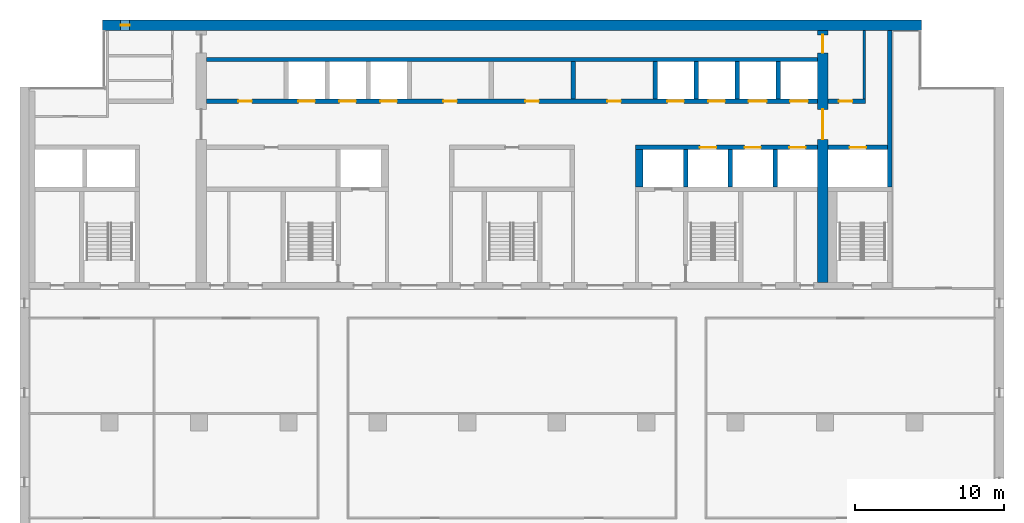
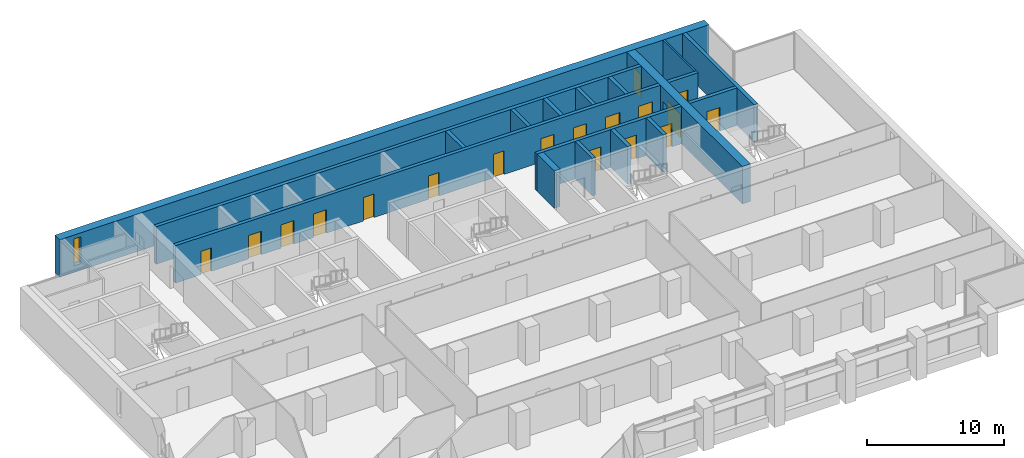
# One storey, part 11 of 16: 18 doors, 18 walls, 1 window, 19 openings.
"""IFC4 building model written with IfcOpenShell, lengths in metres."""

from ifc_helpers import new_model, si_unit, direction, frame, frame_2d, origin, place, context, subcontext, project, spatial, rectangle, extrude, material, layer, layer_set, type_object, element, fill, save


model = new_model("IFC4")

# Units and contexts
model_context = context("Model", 3, precision=1e-05, world=origin(), true_north=direction((0.0, 1.0)))
body_context = subcontext(model_context, "Body", "Model", "MODEL_VIEW")
ifc_project = project(units=[si_unit("LENGTHUNIT", "METRE"), si_unit("AREAUNIT", "SQUARE_METRE"), si_unit("VOLUMEUNIT", "CUBIC_METRE"), si_unit("PLANEANGLEUNIT", "RADIAN"), si_unit("MASSUNIT", "GRAM", prefix="KILO")], contexts=[model_context])

# Site, building, storey
site_placement = place(None, origin())
site = spatial("IfcSite", under=ifc_project, at=site_placement, CompositionType="ELEMENT")
building_placement = place(site_placement, origin())
building = spatial("IfcBuilding", under=site, at=building_placement, Name="Calvaro Tower", CompositionType="ELEMENT")
storey_placement = place(building_placement, frame((0.0, 0.0, 178.0)))
storey = spatial("IfcBuildingStorey", under=building, at=storey_placement, Name="L44", CompositionType="ELEMENT", Elevation=178.0)

# Walls
ifc_material_1 = material(Name="Blockwork partition", Category="masonry")
ifc_layer_1 = layer(ifc_material_1, 0.14990234375)
ifc_layer_set_1 = layer_set([ifc_layer_1], Name="Blockwork partition")
wall_type_1 = type_object("IfcWallType", Name="Core partition 150 REI 120", PredefinedType="PARTITIONING", material=ifc_layer_set_1)
wall_1_placement = place(storey_placement, frame((62.625, 40.699951171875, 0.0), z_axis=(0.0, 0.0, 1.0), x_axis=(0.0, 1.0, 0.0)))
element("IfcWall", 1, at=wall_1_placement, inside=storey, type_object=wall_type_1, Name="Core partition", PredefinedType="PARTITIONING", context=body_context, shape_type="SweptSolid", body=[
    extrude(rectangle(XDim=4.60009765625, YDim=0.14990234375, at=frame_2d((2.300048828125, 0.0))), origin(), (0.0, 0.0, 1.0), 3.35009765625),
])
ifc_material_2 = material(Name="Blockwork partition", Category="masonry")
ifc_layer_2 = layer(ifc_material_2, 0.300048828125)
ifc_layer_set_2 = layer_set([ifc_layer_2], Name="Blockwork partition")
wall_type_2 = type_object("IfcWallType", Name="Core partition 300 EI 60", PredefinedType="PARTITIONING", material=ifc_layer_set_2)
wall_2_placement = place(storey_placement, frame((43.10009765625, 40.699951171875, 0.0), z_axis=(0.0, 0.0, 1.0), x_axis=(0.0, 1.0, 0.0)))
element("IfcWall", 2, at=wall_2_placement, inside=storey, type_object=wall_type_2, Name="Core partition", PredefinedType="PARTITIONING", context=body_context, shape_type="SweptSolid", body=[
    extrude(rectangle(XDim=2.5, YDim=0.300048828125, at=frame_2d((1.25, 0.0))), origin(), (0.0, 0.0, 1.0), 3.35009765625),
])

# Wall, opening, door
ifc_material_3 = material(Name="Blockwork partition", Category="masonry")
ifc_layer_3 = layer(ifc_material_3, 0.300048828125)
ifc_layer_set_3 = layer_set([ifc_layer_3], Name="Blockwork partition")
wall_type_3 = type_object("IfcWallType", Name="Core partition 300 REI 120", PredefinedType="PARTITIONING", material=ifc_layer_set_3)
wall_3_placement = place(storey_placement, frame((60.199951171875, 40.550048828125, 0.0), z_axis=(0.0, 0.0, 1.0), x_axis=(1.0, 0.0, 0.0)))
wall_3 = element("IfcWall", 3, at=wall_3_placement, inside=storey, type_object=wall_type_3, Name="Core partition", PredefinedType="PARTITIONING", context=body_context, shape_type="SweptSolid", body=[
    extrude(rectangle(XDim=2.5, YDim=0.300048828125, at=frame_2d((1.25, 0.0))), origin(), (0.0, 0.0, 1.0), 3.35009765625),
])
opening_1_placement = place(wall_3_placement, frame((0.72509765625, 0.0, 0.0)))
opening_1 = element("IfcOpeningElement", 4, at=opening_1_placement, cuts=wall_3, Name="Opening RD9E", PredefinedType="OPENING", context=body_context, shape_type="SweptSolid", body=[
    extrude(rectangle(XDim=0.89990234375, YDim=2.10009765625, at=frame_2d((0.449951171875, 1.050048828125))), frame((0.0, 0.159912109375, 0.0), z_axis=(0.0, -1.0, 0.0), x_axis=(1.0, 0.0, 0.0)), (0.0, 0.0, 1.0), 0.320068359375),
])
ifc_material_4 = material(Name="Steel door set", Category="steel")
door_type_1 = type_object("IfcDoorType", Name="Room door 900 FD60", OperationType="SINGLE_SWING_LEFT", PredefinedType="DOOR", material=ifc_material_4)
door_1_placement = place(opening_1_placement, origin())
door_1 = element("IfcDoor", 5, at=door_1_placement, inside=storey, type_object=door_type_1, Name="Room door", OperationType="SINGLE_SWING_LEFT", OverallHeight=2.10009765625, OverallWidth=0.89990234375, PredefinedType="DOOR", context=body_context, shape_type="SweptSolid", body=[
    extrude(rectangle(XDim=0.89990234375, YDim=2.10009765625, at=frame_2d((0.449951171875, 1.050048828125))), frame((0.0, 0.02490234375, 0.0), z_axis=(0.0, -1.0, 0.0), x_axis=(1.0, 0.0, 0.0)), (0.0, 0.0, 1.0), 0.050048828125),
])
fill(opening_1, door_1)

# Wall
ifc_material_5 = material(Name="Concrete C50/60", Category="concrete")
ifc_layer_4 = layer(ifc_material_5, 0.300048828125)
ifc_layer_set_4 = layer_set([ifc_layer_4], Name="Concrete C50/60")
wall_type_4 = type_object("IfcWallType", Name="Core wall C50/60 300", PredefinedType="SHEAR", material=ifc_layer_set_4)
wall_4_placement = place(storey_placement, frame((64.35009765625, 34.800048828125, 0.0), z_axis=(0.0, 0.0, 1.0), x_axis=(0.0, 1.0, 0.0)))
element("IfcWall", 6, at=wall_4_placement, inside=storey, type_object=wall_type_4, Name="Core wall, boundary", PredefinedType="SHEAR", context=body_context, shape_type="SweptSolid", body=[
    extrude(rectangle(XDim=10.5, YDim=0.300048828125, at=frame_2d((5.25, 0.0))), origin(), (0.0, 0.0, 1.0), 3.35009765625),
])

# Wall, openings, doors
wall_5_placement = place(storey_placement, frame((47.300048828125, 37.449951171875, 0.0), z_axis=(0.0, 0.0, 1.0), x_axis=(1.0, 0.0, 0.0)))
wall_5 = element("IfcWall", 7, at=wall_5_placement, inside=storey, type_object=wall_type_4, Name="Core wall, lift shaft", PredefinedType="SHEAR", context=body_context, shape_type="SweptSolid", body=[
    extrude(rectangle(XDim=12.199951171875, YDim=0.300048828125, at=frame_2d((6.10009765625, 0.0))), origin(), (0.0, 0.0, 1.0), 3.35009765625),
])
opening_2_placement = place(wall_5_placement, frame((4.300048828125, 0.0, 0.0)))
opening_2 = element("IfcOpeningElement", 8, at=opening_2_placement, cuts=wall_5, Name="Opening HR1", PredefinedType="OPENING", context=body_context, shape_type="SweptSolid", body=[
    extrude(rectangle(XDim=1.10009765625, YDim=2.10009765625, at=frame_2d((0.550048828125, 1.050048828125))), frame((0.0, 0.159912109375, 0.0), z_axis=(0.0, -1.0, 0.0), x_axis=(1.0, 0.0, 0.0)), (0.0, 0.0, 1.0), 0.320068359375),
])
opening_3_placement = place(wall_5_placement, frame((7.300048828125, 0.0, 0.0)))
opening_3 = element("IfcOpeningElement", 9, at=opening_3_placement, cuts=wall_5, Name="Opening HR2", PredefinedType="OPENING", context=body_context, shape_type="SweptSolid", body=[
    extrude(rectangle(XDim=1.10009765625, YDim=2.10009765625, at=frame_2d((0.550048828125, 1.050048828125))), frame((0.0, 0.159912109375, 0.0), z_axis=(0.0, -1.0, 0.0), x_axis=(1.0, 0.0, 0.0)), (0.0, 0.0, 1.0), 0.320068359375),
])
opening_4_placement = place(wall_5_placement, frame((10.300048828125, 0.0, 0.0)))
opening_4 = element("IfcOpeningElement", 10, at=opening_4_placement, cuts=wall_5, Name="Opening HR3", PredefinedType="OPENING", context=body_context, shape_type="SweptSolid", body=[
    extrude(rectangle(XDim=1.10009765625, YDim=2.10009765625, at=frame_2d((0.550048828125, 1.050048828125))), frame((0.0, 0.159912109375, 0.0), z_axis=(0.0, -1.0, 0.0), x_axis=(1.0, 0.0, 0.0)), (0.0, 0.0, 1.0), 0.320068359375),
])
ifc_material_6 = material(Name="Stainless steel", Category="steel")
door_type_2 = type_object("IfcDoorType", Name="Landing door 1100 E 60", OperationType="SLIDING_TO_LEFT", PredefinedType="DOOR", material=ifc_material_6)
door_2_placement = place(opening_2_placement, origin())
door_2 = element("IfcDoor", 11, at=door_2_placement, inside=storey, type_object=door_type_2, Name="Landing door HR1", OperationType="SLIDING_TO_LEFT", OverallHeight=2.10009765625, OverallWidth=1.10009765625, PredefinedType="DOOR", context=body_context, shape_type="SweptSolid", body=[
    extrude(rectangle(XDim=1.10009765625, YDim=2.10009765625, at=frame_2d((0.550048828125, 1.050048828125))), frame((0.0, 0.02490234375, 0.0), z_axis=(0.0, -1.0, 0.0), x_axis=(1.0, 0.0, 0.0)), (0.0, 0.0, 1.0), 0.050048828125),
])
fill(opening_2, door_2)
door_3_placement = place(opening_3_placement, origin())
door_3 = element("IfcDoor", 12, at=door_3_placement, inside=storey, type_object=door_type_2, Name="Landing door HR2", OperationType="SLIDING_TO_LEFT", OverallHeight=2.10009765625, OverallWidth=1.10009765625, PredefinedType="DOOR", context=body_context, shape_type="SweptSolid", body=[
    extrude(rectangle(XDim=1.10009765625, YDim=2.10009765625, at=frame_2d((0.550048828125, 1.050048828125))), frame((0.0, 0.02490234375, 0.0), z_axis=(0.0, -1.0, 0.0), x_axis=(1.0, 0.0, 0.0)), (0.0, 0.0, 1.0), 0.050048828125),
])
fill(opening_3, door_3)
door_4_placement = place(opening_4_placement, origin())
door_4 = element("IfcDoor", 13, at=door_4_placement, inside=storey, type_object=door_type_2, Name="Landing door HR3", OperationType="SLIDING_TO_LEFT", OverallHeight=2.10009765625, OverallWidth=1.10009765625, PredefinedType="DOOR", context=body_context, shape_type="SweptSolid", body=[
    extrude(rectangle(XDim=1.10009765625, YDim=2.10009765625, at=frame_2d((0.550048828125, 1.050048828125))), frame((0.0, 0.02490234375, 0.0), z_axis=(0.0, -1.0, 0.0), x_axis=(1.0, 0.0, 0.0)), (0.0, 0.0, 1.0), 0.050048828125),
])
fill(opening_4, door_4)

# Wall, opening, door
wall_6_placement = place(storey_placement, frame((60.199951171875, 37.449951171875, 0.0), z_axis=(0.0, 0.0, 1.0), x_axis=(1.0, 0.0, 0.0)))
wall_6 = element("IfcWall", 14, at=wall_6_placement, inside=storey, type_object=wall_type_4, Name="Core wall, lift shaft", PredefinedType="SHEAR", context=body_context, shape_type="SweptSolid", body=[
    extrude(rectangle(XDim=4.0, YDim=0.300048828125, at=frame_2d((2.0, 0.0))), origin(), (0.0, 0.0, 1.0), 3.35009765625),
])
opening_5_placement = place(wall_6_placement, frame((1.449951171875, 0.0, 0.0)))
opening_5 = element("IfcOpeningElement", 15, at=opening_5_placement, cuts=wall_6, Name="Opening FF3", PredefinedType="OPENING", context=body_context, shape_type="SweptSolid", body=[
    extrude(rectangle(XDim=1.10009765625, YDim=2.10009765625, at=frame_2d((0.550048828125, 1.050048828125))), frame((0.0, 0.159912109375, 0.0), z_axis=(0.0, -1.0, 0.0), x_axis=(1.0, 0.0, 0.0)), (0.0, 0.0, 1.0), 0.320068359375),
])
door_5_placement = place(opening_5_placement, origin())
door_5 = element("IfcDoor", 16, at=door_5_placement, inside=storey, type_object=door_type_2, Name="Landing door FF3", OperationType="SLIDING_TO_LEFT", OverallHeight=2.10009765625, OverallWidth=1.10009765625, PredefinedType="DOOR", context=body_context, shape_type="SweptSolid", body=[
    extrude(rectangle(XDim=1.10009765625, YDim=2.10009765625, at=frame_2d((0.550048828125, 1.050048828125))), frame((0.0, 0.02490234375, 0.0), z_axis=(0.0, -1.0, 0.0), x_axis=(1.0, 0.0, 0.0)), (0.0, 0.0, 1.0), 0.050048828125),
])
fill(opening_5, door_5)

# Wall
wall_7_placement = place(storey_placement, frame((50.64990234375, 34.800048828125, 0.0), z_axis=(0.0, 0.0, 1.0), x_axis=(0.0, 1.0, 0.0)))
element("IfcWall", 17, at=wall_7_placement, inside=storey, type_object=wall_type_4, Name="Core wall, lift shaft", PredefinedType="SHEAR", context=body_context, shape_type="SweptSolid", body=[
    extrude(rectangle(XDim=2.5, YDim=0.300048828125, at=frame_2d((1.25, 0.0))), origin(), (0.0, 0.0, 1.0), 3.35009765625),
])

# Wall, openings, doors
wall_8_placement = place(storey_placement, frame((18.5, 40.550048828125, 0.0), z_axis=(0.0, 0.0, 1.0), x_axis=(1.0, 0.0, 0.0)))
wall_8 = element("IfcWall", 18, at=wall_8_placement, inside=storey, type_object=wall_type_4, Name="Core wall, bay", PredefinedType="SHEAR", context=body_context, shape_type="SweptSolid", body=[
    extrude(rectangle(XDim=41.0, YDim=0.300048828125, at=frame_2d((20.5, 0.0))), origin(), (0.0, 0.0, 1.0), 3.35009765625),
])
opening_6_placement = place(wall_8_placement, frame((2.14990234375, 0.0, 0.0)))
opening_6 = element("IfcOpeningElement", 19, at=opening_6_placement, cuts=wall_8, Name="Opening RD9E", PredefinedType="OPENING", context=body_context, shape_type="SweptSolid", body=[
    extrude(rectangle(XDim=0.89990234375, YDim=2.10009765625, at=frame_2d((0.449951171875, 1.050048828125))), frame((0.0, 0.159912109375, 0.0), z_axis=(0.0, -1.0, 0.0), x_axis=(1.0, 0.0, 0.0)), (0.0, 0.0, 1.0), 0.320068359375),
])
opening_7_placement = place(wall_8_placement, frame((15.89990234375, 0.0, 0.0)))
opening_7 = element("IfcOpeningElement", 20, at=opening_7_placement, cuts=wall_8, Name="Opening RD9E", PredefinedType="OPENING", context=body_context, shape_type="SweptSolid", body=[
    extrude(rectangle(XDim=0.89990234375, YDim=2.10009765625, at=frame_2d((0.449951171875, 1.050048828125))), frame((0.0, 0.159912109375, 0.0), z_axis=(0.0, -1.0, 0.0), x_axis=(1.0, 0.0, 0.0)), (0.0, 0.0, 1.0), 0.320068359375),
])
opening_8_placement = place(wall_8_placement, frame((21.39990234375, 0.0, 0.0)))
opening_8 = element("IfcOpeningElement", 21, at=opening_8_placement, cuts=wall_8, Name="Opening RD9E", PredefinedType="OPENING", context=body_context, shape_type="SweptSolid", body=[
    extrude(rectangle(XDim=0.89990234375, YDim=2.10009765625, at=frame_2d((0.449951171875, 1.050048828125))), frame((0.0, 0.159912109375, 0.0), z_axis=(0.0, -1.0, 0.0), x_axis=(1.0, 0.0, 0.0)), (0.0, 0.0, 1.0), 0.320068359375),
])
opening_9_placement = place(wall_8_placement, frame((26.89990234375, 0.0, 0.0)))
opening_9 = element("IfcOpeningElement", 22, at=opening_9_placement, cuts=wall_8, Name="Opening RD9C", PredefinedType="OPENING", context=body_context, shape_type="SweptSolid", body=[
    extrude(rectangle(XDim=0.89990234375, YDim=2.10009765625, at=frame_2d((0.449951171875, 1.050048828125))), frame((0.0, 0.159912109375, 0.0), z_axis=(0.0, -1.0, 0.0), x_axis=(1.0, 0.0, 0.0)), (0.0, 0.0, 1.0), 0.320068359375),
])
opening_10_placement = place(wall_8_placement, frame((6.175048828125, 0.0, 0.0)))
opening_10 = element("IfcOpeningElement", 23, at=opening_10_placement, cuts=wall_8, Name="Opening HR4", PredefinedType="OPENING", context=body_context, shape_type="SweptSolid", body=[
    extrude(rectangle(XDim=1.10009765625, YDim=2.10009765625, at=frame_2d((0.550048828125, 1.050048828125))), frame((0.0, 0.159912109375, 0.0), z_axis=(0.0, -1.0, 0.0), x_axis=(1.0, 0.0, 0.0)), (0.0, 0.0, 1.0), 0.320068359375),
])
opening_11_placement = place(wall_8_placement, frame((8.925048828125, 0.0, 0.0)))
opening_11 = element("IfcOpeningElement", 24, at=opening_11_placement, cuts=wall_8, Name="Opening HR5", PredefinedType="OPENING", context=body_context, shape_type="SweptSolid", body=[
    extrude(rectangle(XDim=1.10009765625, YDim=2.10009765625, at=frame_2d((0.550048828125, 1.050048828125))), frame((0.0, 0.159912109375, 0.0), z_axis=(0.0, -1.0, 0.0), x_axis=(1.0, 0.0, 0.0)), (0.0, 0.0, 1.0), 0.320068359375),
])
opening_12_placement = place(wall_8_placement, frame((11.675048828125, 0.0, 0.0)))
opening_12 = element("IfcOpeningElement", 25, at=opening_12_placement, cuts=wall_8, Name="Opening HR6", PredefinedType="OPENING", context=body_context, shape_type="SweptSolid", body=[
    extrude(rectangle(XDim=1.10009765625, YDim=2.10009765625, at=frame_2d((0.550048828125, 1.050048828125))), frame((0.0, 0.159912109375, 0.0), z_axis=(0.0, -1.0, 0.0), x_axis=(1.0, 0.0, 0.0)), (0.0, 0.0, 1.0), 0.320068359375),
])
opening_13_placement = place(wall_8_placement, frame((30.925048828125, 0.0, 0.0)))
opening_13 = element("IfcOpeningElement", 26, at=opening_13_placement, cuts=wall_8, Name="Opening HR7", PredefinedType="OPENING", context=body_context, shape_type="SweptSolid", body=[
    extrude(rectangle(XDim=1.10009765625, YDim=2.10009765625, at=frame_2d((0.550048828125, 1.050048828125))), frame((0.0, 0.159912109375, 0.0), z_axis=(0.0, -1.0, 0.0), x_axis=(1.0, 0.0, 0.0)), (0.0, 0.0, 1.0), 0.320068359375),
])
opening_14_placement = place(wall_8_placement, frame((33.675048828125, 0.0, 0.0)))
opening_14 = element("IfcOpeningElement", 27, at=opening_14_placement, cuts=wall_8, Name="Opening HR8", PredefinedType="OPENING", context=body_context, shape_type="SweptSolid", body=[
    extrude(rectangle(XDim=1.10009765625, YDim=2.10009765625, at=frame_2d((0.550048828125, 1.050048828125))), frame((0.0, 0.159912109375, 0.0), z_axis=(0.0, -1.0, 0.0), x_axis=(1.0, 0.0, 0.0)), (0.0, 0.0, 1.0), 0.320068359375),
])
opening_15_placement = place(wall_8_placement, frame((36.375, 0.0, 0.0)))
opening_15 = element("IfcOpeningElement", 28, at=opening_15_placement, cuts=wall_8, Name="Opening SV1", PredefinedType="OPENING", context=body_context, shape_type="SweptSolid", body=[
    extrude(rectangle(XDim=1.199951171875, YDim=2.10009765625, at=frame_2d((0.60009765625, 1.050048828125))), frame((0.0, 0.159912109375, 0.0), z_axis=(0.0, -1.0, 0.0), x_axis=(1.0, 0.0, 0.0)), (0.0, 0.0, 1.0), 0.320068359375),
])
opening_16_placement = place(wall_8_placement, frame((39.14990234375, 0.0, 0.0)))
opening_16 = element("IfcOpeningElement", 29, at=opening_16_placement, cuts=wall_8, Name="Opening SV2", PredefinedType="OPENING", context=body_context, shape_type="SweptSolid", body=[
    extrude(rectangle(XDim=1.199951171875, YDim=2.10009765625, at=frame_2d((0.60009765625, 1.050048828125))), frame((0.0, 0.159912109375, 0.0), z_axis=(0.0, -1.0, 0.0), x_axis=(1.0, 0.0, 0.0)), (0.0, 0.0, 1.0), 0.320068359375),
])
door_6_placement = place(opening_10_placement, origin())
door_6 = element("IfcDoor", 30, at=door_6_placement, inside=storey, type_object=door_type_2, Name="Landing door HR4", OperationType="SLIDING_TO_LEFT", OverallHeight=2.10009765625, OverallWidth=1.10009765625, PredefinedType="DOOR", context=body_context, shape_type="SweptSolid", body=[
    extrude(rectangle(XDim=1.10009765625, YDim=2.10009765625, at=frame_2d((0.550048828125, 1.050048828125))), frame((0.0, 0.02490234375, 0.0), z_axis=(0.0, -1.0, 0.0), x_axis=(1.0, 0.0, 0.0)), (0.0, 0.0, 1.0), 0.050048828125),
])
fill(opening_10, door_6)
door_7_placement = place(opening_11_placement, origin())
door_7 = element("IfcDoor", 31, at=door_7_placement, inside=storey, type_object=door_type_2, Name="Landing door HR5", OperationType="SLIDING_TO_LEFT", OverallHeight=2.10009765625, OverallWidth=1.10009765625, PredefinedType="DOOR", context=body_context, shape_type="SweptSolid", body=[
    extrude(rectangle(XDim=1.10009765625, YDim=2.10009765625, at=frame_2d((0.550048828125, 1.050048828125))), frame((0.0, 0.02490234375, 0.0), z_axis=(0.0, -1.0, 0.0), x_axis=(1.0, 0.0, 0.0)), (0.0, 0.0, 1.0), 0.050048828125),
])
fill(opening_11, door_7)
door_8_placement = place(opening_12_placement, origin())
door_8 = element("IfcDoor", 32, at=door_8_placement, inside=storey, type_object=door_type_2, Name="Landing door HR6", OperationType="SLIDING_TO_LEFT", OverallHeight=2.10009765625, OverallWidth=1.10009765625, PredefinedType="DOOR", context=body_context, shape_type="SweptSolid", body=[
    extrude(rectangle(XDim=1.10009765625, YDim=2.10009765625, at=frame_2d((0.550048828125, 1.050048828125))), frame((0.0, 0.02490234375, 0.0), z_axis=(0.0, -1.0, 0.0), x_axis=(1.0, 0.0, 0.0)), (0.0, 0.0, 1.0), 0.050048828125),
])
fill(opening_12, door_8)
door_9_placement = place(opening_13_placement, origin())
door_9 = element("IfcDoor", 33, at=door_9_placement, inside=storey, type_object=door_type_2, Name="Landing door HR7", OperationType="SLIDING_TO_LEFT", OverallHeight=2.10009765625, OverallWidth=1.10009765625, PredefinedType="DOOR", context=body_context, shape_type="SweptSolid", body=[
    extrude(rectangle(XDim=1.10009765625, YDim=2.10009765625, at=frame_2d((0.550048828125, 1.050048828125))), frame((0.0, 0.02490234375, 0.0), z_axis=(0.0, -1.0, 0.0), x_axis=(1.0, 0.0, 0.0)), (0.0, 0.0, 1.0), 0.050048828125),
])
fill(opening_13, door_9)
door_10_placement = place(opening_14_placement, origin())
door_10 = element("IfcDoor", 34, at=door_10_placement, inside=storey, type_object=door_type_2, Name="Landing door HR8", OperationType="SLIDING_TO_LEFT", OverallHeight=2.10009765625, OverallWidth=1.10009765625, PredefinedType="DOOR", context=body_context, shape_type="SweptSolid", body=[
    extrude(rectangle(XDim=1.10009765625, YDim=2.10009765625, at=frame_2d((0.550048828125, 1.050048828125))), frame((0.0, 0.02490234375, 0.0), z_axis=(0.0, -1.0, 0.0), x_axis=(1.0, 0.0, 0.0)), (0.0, 0.0, 1.0), 0.050048828125),
])
fill(opening_14, door_10)
ifc_material_7 = material(Name="Stainless steel", Category="steel")
door_type_3 = type_object("IfcDoorType", Name="Landing door 1200 E 60", OperationType="SLIDING_TO_LEFT", PredefinedType="DOOR", material=ifc_material_7)
door_11_placement = place(opening_15_placement, origin())
door_11 = element("IfcDoor", 35, at=door_11_placement, inside=storey, type_object=door_type_3, Name="Landing door SV1", OperationType="SLIDING_TO_LEFT", OverallHeight=2.10009765625, OverallWidth=1.199951171875, PredefinedType="DOOR", context=body_context, shape_type="SweptSolid", body=[
    extrude(rectangle(XDim=1.199951171875, YDim=2.10009765625, at=frame_2d((0.60009765625, 1.050048828125))), frame((0.0, 0.02490234375, 0.0), z_axis=(0.0, -1.0, 0.0), x_axis=(1.0, 0.0, 0.0)), (0.0, 0.0, 1.0), 0.050048828125),
])
fill(opening_15, door_11)
door_12_placement = place(opening_16_placement, origin())
door_12 = element("IfcDoor", 36, at=door_12_placement, inside=storey, type_object=door_type_3, Name="Landing door SV2", OperationType="SLIDING_TO_LEFT", OverallHeight=2.10009765625, OverallWidth=1.199951171875, PredefinedType="DOOR", context=body_context, shape_type="SweptSolid", body=[
    extrude(rectangle(XDim=1.199951171875, YDim=2.10009765625, at=frame_2d((0.60009765625, 1.050048828125))), frame((0.0, 0.02490234375, 0.0), z_axis=(0.0, -1.0, 0.0), x_axis=(1.0, 0.0, 0.0)), (0.0, 0.0, 1.0), 0.050048828125),
])
fill(opening_16, door_12)
ifc_material_8 = material(Name="Steel door set", Category="steel")
door_type_4 = type_object("IfcDoorType", Name="Room door 900 FD30", OperationType="SINGLE_SWING_LEFT", PredefinedType="DOOR", material=ifc_material_8)
door_13_placement = place(opening_9_placement, origin())
door_13 = element("IfcDoor", 37, at=door_13_placement, inside=storey, type_object=door_type_4, Name="Room door", OperationType="SINGLE_SWING_LEFT", OverallHeight=2.10009765625, OverallWidth=0.89990234375, PredefinedType="DOOR", context=body_context, shape_type="SweptSolid", body=[
    extrude(rectangle(XDim=0.89990234375, YDim=2.10009765625, at=frame_2d((0.449951171875, 1.050048828125))), frame((0.0, 0.02490234375, 0.0), z_axis=(0.0, -1.0, 0.0), x_axis=(1.0, 0.0, 0.0)), (0.0, 0.0, 1.0), 0.050048828125),
])
fill(opening_9, door_13)
door_14_placement = place(opening_6_placement, origin())
door_14 = element("IfcDoor", 38, at=door_14_placement, inside=storey, type_object=door_type_1, Name="Room door", OperationType="SINGLE_SWING_RIGHT", OverallHeight=2.10009765625, OverallWidth=0.89990234375, PredefinedType="DOOR", context=body_context, shape_type="SweptSolid", body=[
    extrude(rectangle(XDim=0.89990234375, YDim=2.10009765625, at=frame_2d((0.449951171875, 1.050048828125))), frame((0.0, 0.02490234375, 0.0), z_axis=(0.0, -1.0, 0.0), x_axis=(1.0, 0.0, 0.0)), (0.0, 0.0, 1.0), 0.050048828125),
])
fill(opening_6, door_14)
door_15_placement = place(opening_7_placement, origin())
door_15 = element("IfcDoor", 39, at=door_15_placement, inside=storey, type_object=door_type_1, Name="Room door", OperationType="SINGLE_SWING_LEFT", OverallHeight=2.10009765625, OverallWidth=0.89990234375, PredefinedType="DOOR", context=body_context, shape_type="SweptSolid", body=[
    extrude(rectangle(XDim=0.89990234375, YDim=2.10009765625, at=frame_2d((0.449951171875, 1.050048828125))), frame((0.0, 0.02490234375, 0.0), z_axis=(0.0, -1.0, 0.0), x_axis=(1.0, 0.0, 0.0)), (0.0, 0.0, 1.0), 0.050048828125),
])
fill(opening_7, door_15)
door_16_placement = place(opening_8_placement, origin())
door_16 = element("IfcDoor", 40, at=door_16_placement, inside=storey, type_object=door_type_1, Name="Room door", OperationType="SINGLE_SWING_LEFT", OverallHeight=2.10009765625, OverallWidth=0.89990234375, PredefinedType="DOOR", context=body_context, shape_type="SweptSolid", body=[
    extrude(rectangle(XDim=0.89990234375, YDim=2.10009765625, at=frame_2d((0.449951171875, 1.050048828125))), frame((0.0, 0.02490234375, 0.0), z_axis=(0.0, -1.0, 0.0), x_axis=(1.0, 0.0, 0.0)), (0.0, 0.0, 1.0), 0.050048828125),
])
fill(opening_8, door_16)

# Walls
wall_9_placement = place(storey_placement, frame((18.5, 43.35009765625, 0.0), z_axis=(0.0, 0.0, 1.0), x_axis=(1.0, 0.0, 0.0)))
element("IfcWall", 41, at=wall_9_placement, inside=storey, type_object=wall_type_4, Name="Core wall, lift shaft", PredefinedType="SHEAR", context=body_context, shape_type="SweptSolid", body=[
    extrude(rectangle(XDim=41.0, YDim=0.300048828125, at=frame_2d((20.5, 0.0))), origin(), (0.0, 0.0, 1.0), 3.35009765625),
])
for number, where, z_axis, x_axis, name in (
    (42, (53.64990234375, 34.800048828125, 0.0), (0.0, 0.0, 1.0), (0.0, 1.0, 0.0), "Core wall, lift shaft"),
    (43, (56.64990234375, 34.800048828125, 0.0), (0.0, 0.0, 1.0), (0.0, 1.0, 0.0), "Core wall, lift shaft"),
    (44, (48.60009765625, 40.699951171875, 0.0), (0.0, 0.0, 1.0), (0.0, 1.0, 0.0), "Core wall, lift shaft"),
    (45, (51.35009765625, 40.699951171875, 0.0), (0.0, 0.0, 1.0), (0.0, 1.0, 0.0), "Core wall, lift shaft"),
    (46, (54.10009765625, 40.699951171875, 0.0), (0.0, 0.0, 1.0), (0.0, 1.0, 0.0), "Core wall, lift shaft"),
    (47, (56.85009765625, 40.699951171875, 0.0), (0.0, 0.0, 1.0), (0.0, 1.0, 0.0), "Core wall, lift shaft"),
):
    element("IfcWall", number, at=place(storey_placement, frame(where, z_axis=z_axis, x_axis=x_axis)), inside=storey, type_object=wall_type_4, Name=name, PredefinedType="SHEAR", context=body_context, shape_type="SweptSolid", body=[
        extrude(rectangle(XDim=2.5, YDim=0.300048828125, at=frame_2d((1.25, 0.0))), origin(), (0.0, 0.0, 1.0), 3.35009765625),
    ])
ifc_material_9 = material(Name="Concrete C50/60", Category="concrete")
ifc_layer_5 = layer(ifc_material_9, 0.5)
ifc_layer_set_5 = layer_set([ifc_layer_5], Name="Concrete C50/60")
wall_type_5 = type_object("IfcWallType", Name="Core wall C50/60 500", PredefinedType="SHEAR", material=ifc_layer_set_5)
wall_10_placement = place(storey_placement, frame((47.550048828125, 34.800048828125, 0.0), z_axis=(0.0, 0.0, 1.0), x_axis=(0.0, 1.0, 0.0)))
element("IfcWall", 48, at=wall_10_placement, inside=storey, type_object=wall_type_5, Name="Core wall, lift shaft", PredefinedType="SHEAR", context=body_context, shape_type="SweptSolid", body=[
    extrude(rectangle(XDim=2.5, YDim=0.5, at=frame_2d((1.25, 0.0))), origin(), (0.0, 0.0, 1.0), 3.35009765625),
])

# Wall, openings, doors
ifc_material_10 = material(Name="Concrete C50/60", Category="concrete")
ifc_layer_6 = layer(ifc_material_10, 0.699951171875)
ifc_layer_set_6 = layer_set([ifc_layer_6], Name="Concrete C50/60")
wall_type_6 = type_object("IfcWallType", Name="Core wall C50/60 700", PredefinedType="SHEAR", material=ifc_layer_set_6)
wall_11_placement = place(storey_placement, frame((59.85009765625, 28.39990234375, 0.0), z_axis=(0.0, 0.0, 1.0), x_axis=(0.0, 1.0, 0.0)))
wall_11 = element("IfcWall", 49, at=wall_11_placement, inside=storey, type_object=wall_type_6, Name="Core wall, cross shear wall", PredefinedType="SHEAR", context=body_context, shape_type="SweptSolid", body=[
    extrude(rectangle(XDim=16.900146484375, YDim=0.699951171875, at=frame_2d((8.4501953125, 0.0))), origin(), (0.0, 0.0, 1.0), 3.35009765625),
])
opening_17_placement = place(wall_11_placement, frame((9.60009765625, 0.0, 0.0)))
opening_17 = element("IfcOpeningElement", 50, at=opening_17_placement, cuts=wall_11, Name="Opening DD20D", PredefinedType="OPENING", context=body_context, shape_type="SweptSolid", body=[
    extrude(rectangle(XDim=2.0, YDim=2.10009765625, at=frame_2d((1.0, 1.050048828125))), frame((0.0, 0.35986328125, 0.0), z_axis=(0.0, -1.0, 0.0), x_axis=(1.0, 0.0, 0.0)), (0.0, 0.0, 1.0), 0.719970703125),
])
opening_18_placement = place(wall_11_placement, frame((15.39990234375, 0.0, 0.0)))
opening_18 = element("IfcOpeningElement", 51, at=opening_18_placement, cuts=wall_11, Name="Opening FD12C", PredefinedType="OPENING", context=body_context, shape_type="SweptSolid", body=[
    extrude(rectangle(XDim=1.199951171875, YDim=2.10009765625, at=frame_2d((0.60009765625, 1.050048828125))), frame((0.0, 0.35986328125, 0.0), z_axis=(0.0, -1.0, 0.0), x_axis=(1.0, 0.0, 0.0)), (0.0, 0.0, 1.0), 0.719970703125),
])
ifc_material_11 = material(Name="Steel door set", Category="steel")
door_type_5 = type_object("IfcDoorType", Name="Fire door 1200 FD30", OperationType="SINGLE_SWING_LEFT", PredefinedType="DOOR", material=ifc_material_11)
door_17_placement = place(opening_18_placement, origin())
door_17 = element("IfcDoor", 52, at=door_17_placement, inside=storey, type_object=door_type_5, Name="Fire door", OperationType="SINGLE_SWING_LEFT", OverallHeight=2.10009765625, OverallWidth=1.199951171875, PredefinedType="DOOR", context=body_context, shape_type="SweptSolid", body=[
    extrude(rectangle(XDim=1.199951171875, YDim=2.10009765625, at=frame_2d((0.60009765625, 1.050048828125))), frame((0.0, 0.02490234375, 0.0), z_axis=(0.0, -1.0, 0.0), x_axis=(1.0, 0.0, 0.0)), (0.0, 0.0, 1.0), 0.050048828125),
])
fill(opening_18, door_17)
ifc_material_12 = material(Name="Steel door set", Category="steel")
door_type_6 = type_object("IfcDoorType", Name="Lobby double door 2000 FD30S", OperationType="DOUBLE_DOOR_SINGLE_SWING", PredefinedType="DOOR", material=ifc_material_12)
door_18_placement = place(opening_17_placement, origin())
door_18 = element("IfcDoor", 53, at=door_18_placement, inside=storey, type_object=door_type_6, Name="Lobby double door", OperationType="DOUBLE_DOOR_SINGLE_SWING", OverallHeight=2.10009765625, OverallWidth=2.0, PredefinedType="DOOR", context=body_context, shape_type="SweptSolid", body=[
    extrude(rectangle(XDim=2.0, YDim=2.10009765625, at=frame_2d((1.0, 1.050048828125))), frame((0.0, 0.02490234375, 0.0), z_axis=(0.0, -1.0, 0.0), x_axis=(1.0, 0.0, 0.0)), (0.0, 0.0, 1.0), 0.050048828125),
])
fill(opening_17, door_18)

# Wall, opening, window
ifc_material_13 = material(Name="Concrete C50/60", Category="concrete")
ifc_layer_7 = layer(ifc_material_13, 0.699951171875)
ifc_layer_set_7 = layer_set([ifc_layer_7], Name="Concrete C50/60")
wall_type_7 = type_object("IfcWallType", Name="Rear core wall 700 C50/60", PredefinedType="SHEAR", material=ifc_layer_set_7)
wall_12_placement = place(storey_placement, frame((11.550048828125, 45.64990234375, 0.0), z_axis=(0.0, 0.0, 1.0), x_axis=(1.0, 0.0, 0.0)))
wall_12 = element("IfcWall", 54, at=wall_12_placement, inside=storey, type_object=wall_type_7, Name="North core wall", PredefinedType="SHEAR", context=body_context, shape_type="SweptSolid", body=[
    extrude(rectangle(XDim=54.89990234375, YDim=0.699951171875, at=frame_2d((27.449951171875, 0.0))), origin(), (0.0, 0.0, 1.0), 3.35009765625),
])
opening_19_placement = place(wall_12_placement, frame((1.199951171875, 0.0, 0.60009765625)))
opening_19 = element("IfcOpeningElement", 55, at=opening_19_placement, cuts=wall_12, Name="Opening WN01", PredefinedType="OPENING", context=body_context, shape_type="SweptSolid", body=[
    extrude(rectangle(XDim=0.60009765625, YDim=2.39990234375, at=frame_2d((0.300048828125, 1.199951171875))), frame((0.0, 0.35986328125, 0.0), z_axis=(0.0, -1.0, 0.0), x_axis=(1.0, 0.0, 0.0)), (0.0, 0.0, 1.0), 0.719970703125),
])
ifc_material_14 = material(Name="Glass", Category="glass")
window_type = type_object("IfcWindowType", Name="Slit window 600 x 2400", PartitioningType="SINGLE_PANEL", PredefinedType="WINDOW", material=ifc_material_14)
window_placement = place(opening_19_placement, origin())
window = element("IfcWindow", 56, at=window_placement, inside=storey, type_object=window_type, Name="Window WN01", OverallHeight=2.39990234375, OverallWidth=0.60009765625, PartitioningType="SINGLE_PANEL", PredefinedType="WINDOW", context=body_context, shape_type="SweptSolid", body=[
    extrude(rectangle(XDim=0.60009765625, YDim=2.39990234375, at=frame_2d((0.300048828125, 1.199951171875))), frame((0.0, 0.030029296875, 0.0), z_axis=(0.0, -1.0, 0.0), x_axis=(1.0, 0.0, 0.0)), (0.0, 0.0, 1.0), 0.06005859375),
])
fill(opening_19, window)

save(model, "model.ifc")
